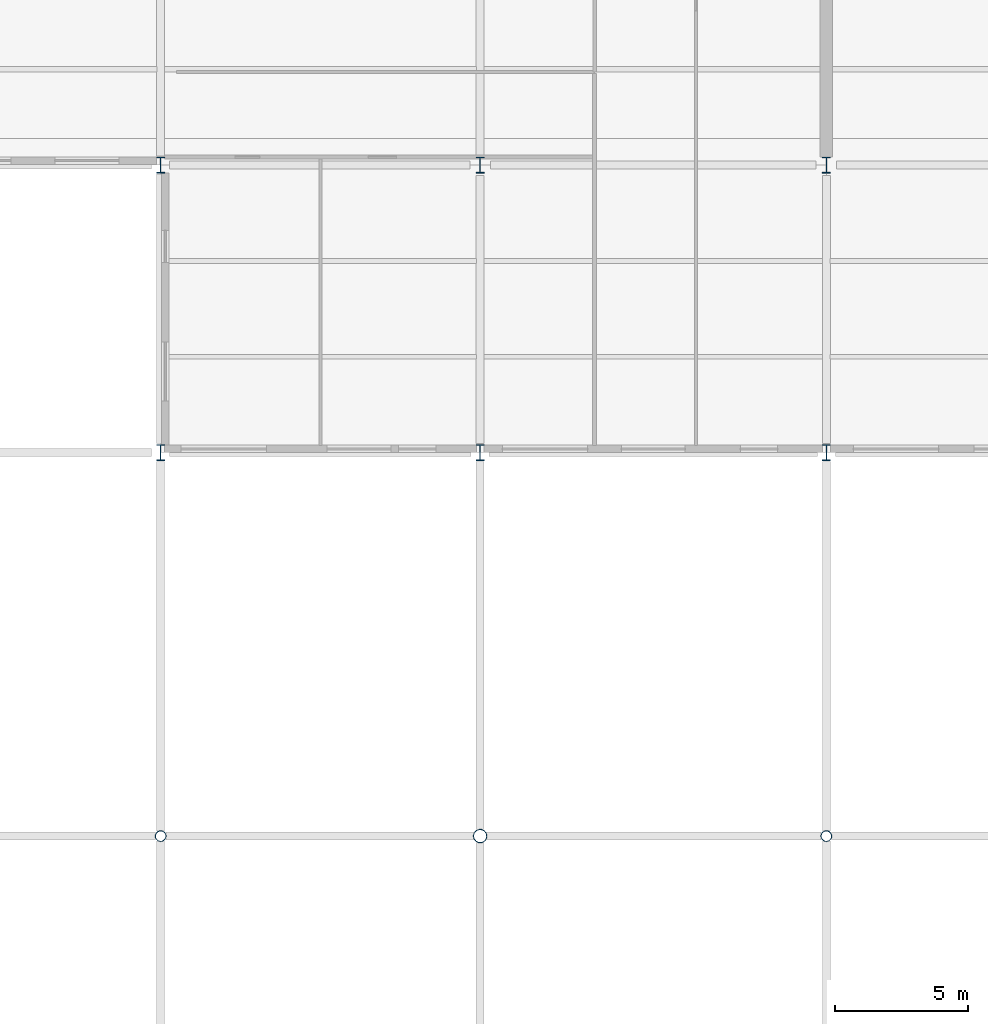
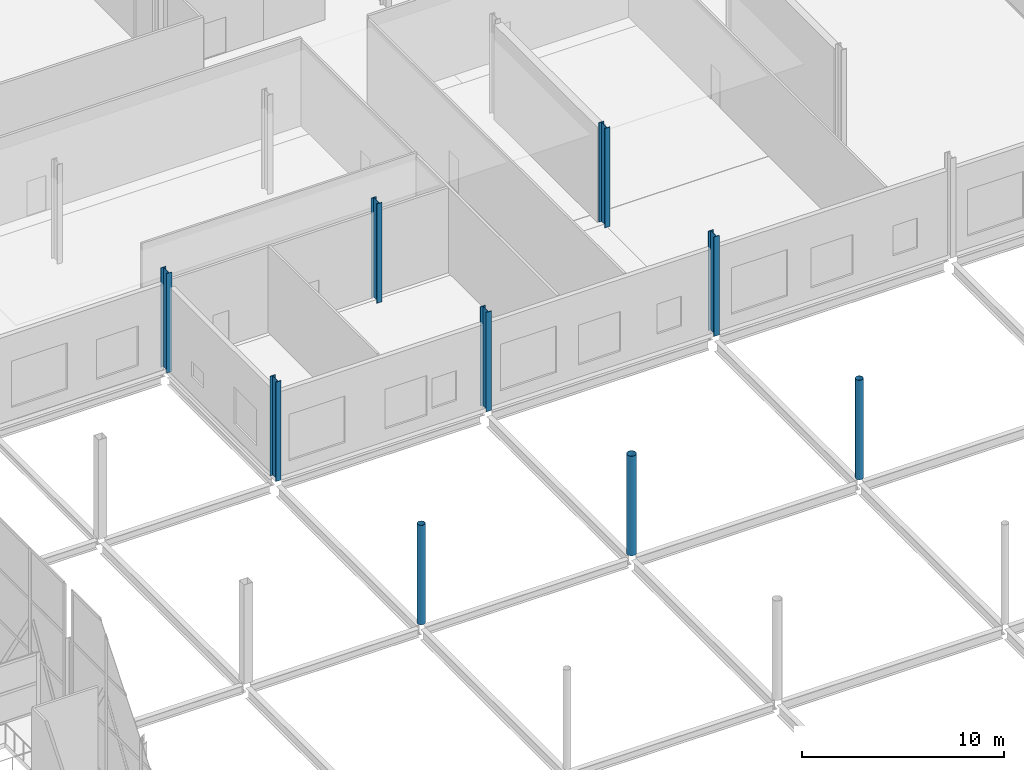
# One storey, part 18 of 191: 9 columns.
"""IFC4 building model written with IfcOpenShell, lengths in metres."""

import ifcopenshell
import ifcopenshell.guid

model = None  # the IFC model being written
_history = None  # IfcOwnerHistory: only IFC2X3 demands one
_inside = {}  # id of a spatial element -> (the spatial element, [elements in it])
_under = {}  # id of a project, library or spatial element -> (it, [spatial elements below it])
_declared = {}  # id of a project -> (the project, [libraries it declares])
_typed = {}  # id of a type object -> (the type object, [elements of that type])
_made_of = {}  # id of a material, layer set ... -> (it, [elements and type objects made of it])


def new_model(schema):
    """Start an empty IFC model of exactly this schema.

    Asked for "IFC4X3", IfcOpenShell would pick the latest addendum, in which some entities
    have other attributes; the version numbers below select the first issue.
    IFC2X3 requires an IfcOwnerHistory on every rooted entity: one is made here for all.
    """
    global model, _history
    if schema == "IFC4X3":
        model = ifcopenshell.file(schema_version=(4, 3, 0, 0))
    else:
        model = ifcopenshell.file(schema=schema)
    _inside.clear()
    _under.clear()
    _declared.clear()
    _typed.clear()
    _made_of.clear()
    _history = None
    if model.schema == "IFC2X3":
        org = make("IfcOrganization", Name="unknown")
        user = make(
            "IfcPersonAndOrganization",
            ThePerson=make("IfcPerson", FamilyName="unknown"),
            TheOrganization=org,
        )
        app = make(
            "IfcApplication",
            ApplicationDeveloper=org,
            Version="unknown",
            ApplicationFullName="unknown",
            ApplicationIdentifier="unknown",
        )
        _history = make(
            "IfcOwnerHistory",
            OwningUser=user,
            OwningApplication=app,
            ChangeAction="ADDED",
            CreationDate=0,
        )
    return model


def make(cls, **values):
    """One entity of the class cls with the attributes given. An attribute that is None is left unset."""
    return model.create_entity(
        cls, **{name: value for name, value in values.items() if value is not None}
    )


def rooted(cls, **values):
    """An entity with a GlobalId (a new one), such as an element, a storey or a relation."""
    return make(cls, GlobalId=ifcopenshell.guid.new(), OwnerHistory=_history, **values)


def si_unit(unit_type, name, prefix=None):
    """IfcSIUnit, for example si_unit("LENGTHUNIT", "METRE", prefix="MILLI")."""
    return make("IfcSIUnit", UnitType=unit_type, Prefix=prefix, Name=name)


def assignment(units):
    """IfcUnitAssignment: the units of a project."""
    return None if units is None else make("IfcUnitAssignment", Units=units)


def point(xyz):
    """IfcCartesianPoint."""
    return None if xyz is None else make("IfcCartesianPoint", Coordinates=xyz)


def direction(xyz):
    """IfcDirection."""
    return None if xyz is None else make("IfcDirection", DirectionRatios=xyz)


def frame(location, z_axis=None, x_axis=None):
    """IfcAxis2Placement3D, a coordinate frame: its origin and axes. An axis left out is left unset."""
    return make(
        "IfcAxis2Placement3D",
        Location=point(location),
        Axis=direction(z_axis),
        RefDirection=direction(x_axis),
    )


def frame_2d(location, x_axis=None):
    """IfcAxis2Placement2D, a coordinate frame in the plane: its origin and x axis."""
    return make(
        "IfcAxis2Placement2D", Location=point(location), RefDirection=direction(x_axis)
    )


def origin():
    """The frame at (0, 0, 0) with its axes left unset."""
    return frame((0.0, 0.0, 0.0))


def origin_2d():
    """The frame at (0, 0) in the plane with its x axis left unset."""
    return frame_2d((0.0, 0.0))


def place(relative_to, where):
    """IfcLocalPlacement: puts the frame where relative to a parent placement (None: the world)."""
    return make(
        "IfcLocalPlacement", PlacementRelTo=relative_to, RelativePlacement=where
    )


def context(
    kind, dimensions, precision=None, world=None, true_north=None, identifier=None
):
    """IfcGeometricRepresentationContext, for example the 3D "Model" context."""
    return make(
        "IfcGeometricRepresentationContext",
        ContextIdentifier=identifier,
        ContextType=kind,
        CoordinateSpaceDimension=dimensions,
        Precision=precision,
        WorldCoordinateSystem=world,
        TrueNorth=true_north,
    )


def subcontext(parent, identifier, kind, view, scale=None):
    """IfcGeometricRepresentationSubContext, for example "Body" below "Model"."""
    return make(
        "IfcGeometricRepresentationSubContext",
        ContextIdentifier=identifier,
        ContextType=kind,
        ParentContext=parent,
        TargetScale=scale,
        TargetView=view,
    )


def project(units=None, contexts=None):
    """IfcProject with its units and contexts."""
    return rooted(
        "IfcProject",
        Name="project",
        RepresentationContexts=contexts,
        UnitsInContext=assignment(units),
    )


def spatial(cls, under=None, at=None, **own):
    """A site, building, storey or space (cls), placed at a placement, below another one or the project."""
    s = rooted(cls, ObjectPlacement=at, **own)
    if under is not None:
        _under.setdefault(under.id(), (under, []))[1].append(s)
    return s


def profile(cls, at=None, kind="AREA", **sizes):
    """A parametric profile (cls). Its sizes go by their IFC names, for example OverallWidth=200.0."""
    return make(cls, ProfileType=kind, Position=at, **sizes)


def hollow_circle(**sizes):
    """IfcCircleHollowProfileDef."""
    return profile("IfcCircleHollowProfileDef", **sizes)


def i_section(**sizes):
    """IfcIShapeProfileDef."""
    return profile("IfcIShapeProfileDef", **sizes)


def extrude(swept, where, along, depth):
    """IfcExtrudedAreaSolid: the profile swept, set in the frame where, extruded along a direction by depth."""
    return make(
        "IfcExtrudedAreaSolid",
        SweptArea=swept,
        Position=where,
        ExtrudedDirection=direction(along),
        Depth=depth,
    )


def shape(context_of_items, identifier, shape_type, items):
    """IfcShapeRepresentation: the items that make up one representation, for example the "Body"."""
    return make(
        "IfcShapeRepresentation",
        ContextOfItems=context_of_items,
        RepresentationIdentifier=identifier,
        RepresentationType=shape_type,
        Items=items,
    )


def material(Name=None, Category=None):
    """IfcMaterial."""
    return make("IfcMaterial", Name=Name, Category=Category)


def material_profile(
    of_material, cross_section, Name=None, Category=None, Priority=None
):
    """IfcMaterialProfile: a cross section and its material."""
    return make(
        "IfcMaterialProfile",
        Name=Name,
        Material=of_material,
        Profile=cross_section,
        Priority=Priority,
        Category=Category,
    )


def profile_set(profiles, Name=None, composite=None):
    """IfcMaterialProfileSet."""
    return make(
        "IfcMaterialProfileSet",
        Name=Name,
        MaterialProfiles=profiles,
        CompositeProfile=composite,
    )


def made_of(thing, what):
    """Note that an element or type object is made of a material, layer set ...; save() writes the relation."""
    if what is not None:
        _made_of.setdefault(what.id(), (what, []))[1].append(thing)
    return thing


def type_object(cls, material=None, **own):
    """A type object (cls), such as IfcWallType, which elements share."""
    return made_of(rooted(cls, **own), material)


def element(
    cls,
    number,
    at=None,
    inside=None,
    cuts=None,
    type_object=None,
    material=None,
    context=None,
    identifier="Body",
    shape_type=None,
    held_by="IfcProductDefinitionShape",
    body=None,
    shapes=None,
    **own,
):
    """One element of the class cls, such as IfcWall. Its Tag is "e" and its number.

    at: its placement. inside: the storey or other place that contains it. cuts: it is an
    opening in that element (IfcRelVoidsElement). A single representation is given by context,
    identifier, shape_type and body (its items); several are given by shapes. held_by: the class
    of the entity that holds the representations. save() writes the other relations.
    """
    e = rooted(cls, Tag="e%d" % number, ObjectPlacement=at, **own)
    if body is not None:
        shapes = [shape(context, identifier, shape_type, body)]
    if shapes is not None:
        e.Representation = make(held_by, Representations=shapes)
    if inside is not None:
        _inside.setdefault(inside.id(), (inside, []))[1].append(e)
    if cuts is not None:
        rooted(
            "IfcRelVoidsElement", RelatingBuildingElement=cuts, RelatedOpeningElement=e
        )
    if type_object is not None:
        _typed.setdefault(type_object.id(), (type_object, []))[1].append(e)
    return made_of(e, material)


def aggregate(whole, parts):
    """IfcRelAggregates: a whole, such as a stair, and the parts it consists of."""
    return rooted("IfcRelAggregates", RelatingObject=whole, RelatedObjects=parts)


def save(model, path):
    """Write the relations noted so far, then the file.

    IfcRelAggregates (storeys below a building ...), IfcRelContainedInSpatialStructure (elements
    in a storey), IfcRelDefinesByType, IfcRelAssociatesMaterial and IfcRelDeclares: one each for
    every whole, place, type object, material and project.
    """
    for whole, parts in _under.values():
        aggregate(whole, parts)
    for where, things in _inside.values():
        rooted(
            "IfcRelContainedInSpatialStructure",
            RelatedElements=things,
            RelatingStructure=where,
        )
    for kind, things in _typed.values():
        rooted("IfcRelDefinesByType", RelatedObjects=things, RelatingType=kind)
    for what, things in _made_of.values():
        rooted("IfcRelAssociatesMaterial", RelatedObjects=things, RelatingMaterial=what)
    for by, libraries in _declared.values():
        rooted("IfcRelDeclares", RelatingContext=by, RelatedDefinitions=libraries)
    model.write(path)


model = new_model("IFC4")

# Units and contexts
model_context = context("Model", 3, precision=1e-05, world=origin(), true_north=direction((0.0, 1.0)))
body_context = subcontext(model_context, "Body", "Model", "MODEL_VIEW")
ifc_project = project(units=[si_unit("LENGTHUNIT", "METRE"), si_unit("AREAUNIT", "SQUARE_METRE"), si_unit("VOLUMEUNIT", "CUBIC_METRE"), si_unit("PLANEANGLEUNIT", "RADIAN"), si_unit("MASSUNIT", "GRAM", prefix="KILO")], contexts=[model_context])

# Site, building, storey
site_placement = place(None, origin())
site = spatial("IfcSite", under=ifc_project, at=site_placement, CompositionType="ELEMENT")
building_placement = place(site_placement, origin())
building = spatial("IfcBuilding", under=site, at=building_placement, Name="Tamarisk Ironworks Central Station", CompositionType="ELEMENT")
storey_placement = place(building_placement, frame((0.0, 0.0, 6.60009765625)))
storey = spatial("IfcBuildingStorey", under=building, at=storey_placement, Name="L01", CompositionType="ELEMENT", Elevation=6.60009765625)

# Columns
ifc_material_1 = material(Name="Structural steel S355J2", Category="steel")
ifc_material_profile_1 = material_profile(ifc_material_1, i_section(OverallWidth=0.300048828125, OverallDepth=0.60009765625, WebThickness=0.015380859375, FlangeThickness=0.029052734375, at=origin_2d()), Name="HEB 600")
ifc_profile_set_1 = profile_set([ifc_material_profile_1], Name="Structural steel S355J2")
column_type_1 = type_object("IfcColumnType", Name="COL-S05", PredefinedType="COLUMN", material=ifc_profile_set_1)
for number, where, z_axis, x_axis, name in (
    (1, (128.0, 79.199951171875, 0.0), (0.0, 0.0, 1.0), (1.0, 0.0, 0.0), "L01 column V5-16G"),
    (2, (128.0, 90.0, 0.0), (0.0, 0.0, 1.0), (1.0, 0.0, 0.0), "L01 column V5-16H"),
    (3, (140.0, 79.199951171875, 0.0), (0.0, 0.0, 1.0), (1.0, 0.0, 0.0), "L01 column V5-17G"),
    (4, (140.0, 90.0, 0.0), (0.0, 0.0, 1.0), (1.0, 0.0, 0.0), "L01 column V5-17H"),
    (5, (153.0, 79.199951171875, 0.0), (0.0, 0.0, 1.0), (1.0, 0.0, 0.0), "L01 column V5-18G"),
    (6, (153.0, 90.0, 0.0), (0.0, 0.0, 1.0), (1.0, 0.0, 0.0), "L01 column V5-18H"),
):
    element("IfcColumn", number, at=place(storey_placement, frame(where, z_axis=z_axis, x_axis=x_axis)), inside=storey, type_object=column_type_1, Name=name, PredefinedType="COLUMN", context=body_context, shape_type="SweptSolid", body=[
        extrude(i_section(OverallWidth=0.300048828125, OverallDepth=0.60009765625, WebThickness=0.015380859375, FlangeThickness=0.029052734375, at=origin_2d()), origin(), (0.0, 0.0, 1.0), 6.0),
    ])
ifc_material_2 = material(Name="Structural steel S355J2H", Category="steel")
ifc_material_profile_2 = material_profile(ifc_material_2, hollow_circle(Radius=0.25390625, WallThickness=0.01611328125, at=origin_2d()), Name="CHS 508x16")
ifc_profile_set_2 = profile_set([ifc_material_profile_2], Name="Structural steel S355J2H")
column_type_2 = type_object("IfcColumnType", Name="COL-S16", PredefinedType="COLUMN", material=ifc_profile_set_2)
column_placement = place(storey_placement, frame((140.0, 64.800048828125, 0.0), z_axis=(0.0, 0.0, 1.0), x_axis=(1.0, 0.0, 0.0)))
element("IfcColumn", 7, at=column_placement, inside=storey, type_object=column_type_2, Name="L01 column V1-17F", PredefinedType="COLUMN", context=body_context, shape_type="SweptSolid", body=[
    extrude(hollow_circle(Radius=0.25390625, WallThickness=0.01611328125, at=origin_2d()), origin(), (0.0, 0.0, 1.0), 6.0),
])
ifc_material_profile_3 = material_profile(ifc_material_2, hollow_circle(Radius=0.203125, WallThickness=0.01416015625, at=origin_2d()), Name="CHS 406.4x14.2")
ifc_profile_set_3 = profile_set([ifc_material_profile_3], Name="Structural steel S355J2H")
column_type_3 = type_object("IfcColumnType", Name="COL-S17", PredefinedType="COLUMN", material=ifc_profile_set_3)
for number, where, z_axis, x_axis, name in (
    (8, (128.0, 64.800048828125, 0.0), (0.0, 0.0, 1.0), (1.0, 0.0, 0.0), "L01 column V1-16F"),
    (9, (153.0, 64.800048828125, 0.0), (0.0, 0.0, 1.0), (1.0, 0.0, 0.0), "L01 column V1-18F"),
):
    element("IfcColumn", number, at=place(storey_placement, frame(where, z_axis=z_axis, x_axis=x_axis)), inside=storey, type_object=column_type_3, Name=name, PredefinedType="COLUMN", context=body_context, shape_type="SweptSolid", body=[
        extrude(hollow_circle(Radius=0.203125, WallThickness=0.01416015625, at=origin_2d()), origin(), (0.0, 0.0, 1.0), 6.0),
    ])

save(model, "model.ifc")
